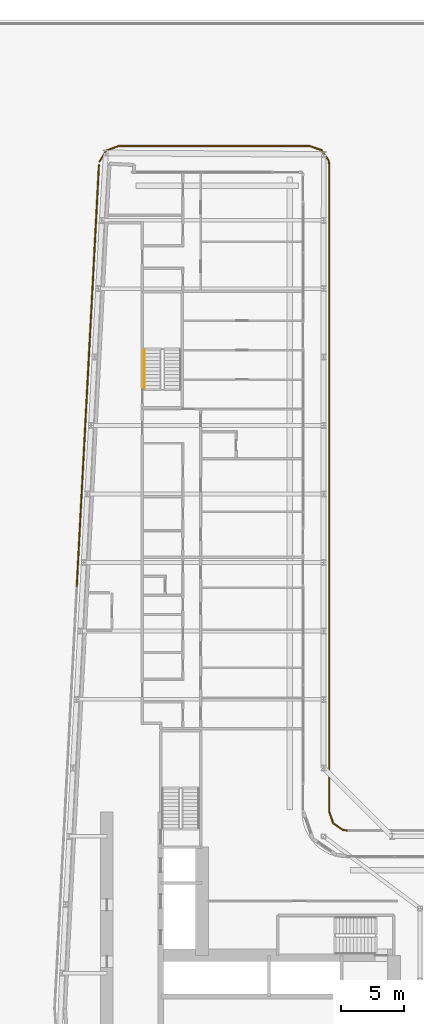
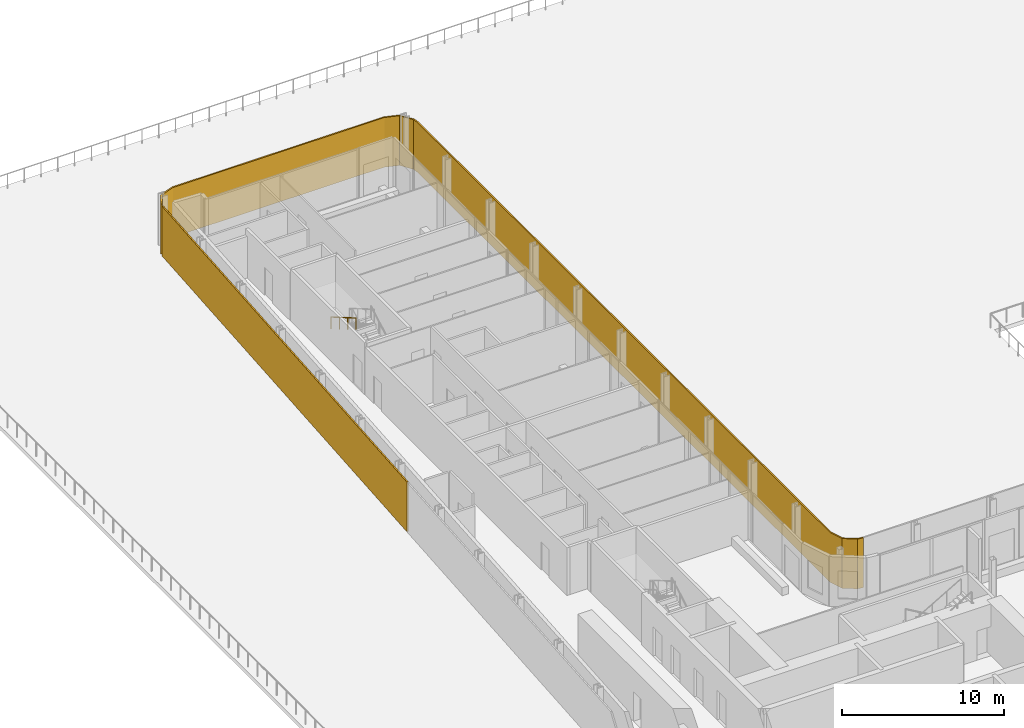
# One storey, part 24 of 27: 2 shading devices, 1 railing.
"""IFC4 building model written with IfcOpenShell, lengths in metres."""

from ifc_helpers import new_model, si_unit, direction, frame, origin, origin_2d, place, context, subcontext, project, spatial, polyline, rectangle, circle, outline, extrude, material, layer, layer_set, type_object, element, save


model = new_model("IFC4")

# Units and contexts
model_context = context("Model", 3, precision=1e-05, world=origin(), true_north=direction((0.0, 1.0)))
body_context = subcontext(model_context, "Body", "Model", "MODEL_VIEW")
ifc_project = project(units=[si_unit("LENGTHUNIT", "METRE"), si_unit("AREAUNIT", "SQUARE_METRE"), si_unit("VOLUMEUNIT", "CUBIC_METRE"), si_unit("PLANEANGLEUNIT", "RADIAN"), si_unit("MASSUNIT", "GRAM", prefix="KILO")], contexts=[model_context])

# Site, building, storey
site_placement = place(None, origin())
site = spatial("IfcSite", under=ifc_project, at=site_placement, CompositionType="ELEMENT")
building_placement = place(site_placement, origin())
building = spatial("IfcBuilding", under=site, at=building_placement, Name="Kheshtan School and Residences Tower", CompositionType="ELEMENT")
storey_placement = place(building_placement, frame((0.0, 0.0, 30.5)))
storey = spatial("IfcBuildingStorey", under=building, at=storey_placement, Name="L06", CompositionType="ELEMENT", Elevation=30.5)

# Shading devices
ifc_material_1 = material(Name="Terracotta baguette, extruded ceramic", Category="masonry")
ifc_layer_1 = layer(ifc_material_1, 0.10009765625)
ifc_layer_set_1 = layer_set([ifc_layer_1], Name="Ledge screen, terracotta baguettes")
shading_device_type_1 = type_object("IfcShadingDeviceType", Name="Ledge screen, terracotta baguettes", PredefinedType="USERDEFINED", material=ifc_layer_set_1)
shading_device_1_placement = place(storey_placement, frame((28.9990234375, 81.93408203125, 0.0), z_axis=(0.0, 0.0, 1.0), x_axis=(0.052562536748, 0.998617634398, 0.0)))
element("IfcShadingDevice", 1, at=shading_device_1_placement, inside=storey, type_object=shading_device_type_1, Name="Screen L06 5", ObjectType="BAGUETTE", PredefinedType="USERDEFINED", context=body_context, shape_type="SweptSolid", body=[
    extrude(rectangle(XDim=33.341064453125, YDim=0.10009765625, at=origin_2d()), origin(), (0.0, 0.0, 1.0), 3.75),
])
ifc_material_2 = material(Name="Terracotta lattice, extruded ceramic", Category="masonry")
ifc_layer_2 = layer(ifc_material_2, 0.10009765625)
ifc_layer_set_2 = layer_set([ifc_layer_2], Name="Loggia screen, terracotta lattice")
shading_device_type_2 = type_object("IfcShadingDeviceType", Name="Loggia screen, terracotta lattice", PredefinedType="USERDEFINED", material=ifc_layer_set_2)
shading_device_2_placement = place(storey_placement, origin())
element("IfcShadingDevice", 2, at=shading_device_2_placement, inside=storey, type_object=shading_device_type_2, Name="Screen L06 1", ObjectType="SCREEN", PredefinedType="USERDEFINED", context=body_context, shape_type="SweptSolid", body=[
    extrude(outline(polyline([(29.949951171875, 98.783935546875), (30.468017578125, 99.656982421875), (31.423095703125, 100.0), (46.5, 100.0), (47.4130859375, 99.68994140625), (47.948974609375, 98.887939453125), (48.0, 98.5), (48.0, 47.5), (48.31005859375, 46.5869140625), (49.112060546875, 46.051025390625), (49.5, 46.0), (49.512939453125, 46.09912109375), (49.14794921875, 46.14697265625), (48.39404296875, 46.65087890625), (48.10009765625, 47.51708984375), (48.10009765625, 98.507080078125), (48.044921875, 98.924072265625), (47.47705078125, 99.77392578125), (46.51708984375, 100.10009765625), (31.406005859375, 100.10009765625), (30.39990234375, 99.739013671875), (29.864013671875, 98.8349609375), (29.949951171875, 98.783935546875)])), origin(), (0.0, 0.0, 1.0), 3.75),
])

# Railing
ifc_material_3 = material(Name="Stainless steel handrail", Category="steel")
railing_type = type_object("IfcRailingType", Name="Stair handrail 900", PredefinedType="HANDRAIL", material=ifc_material_3)
railing_placement = place(storey_placement, frame((33.449951171875, 83.97998046875, 2.112548828125)))
element("IfcRailing", 3, at=railing_placement, inside=storey, type_object=railing_type, Name="L06 ST3 stair handrail 2", PredefinedType="HANDRAIL", context=body_context, shape_type="SweptSolid", body=[
    extrude(circle(Radius=0.02392578125, at=origin_2d()), frame((0.0, 0.0, 0.8759765625), z_axis=(0.0, -0.864920483161, 0.501908913857), x_axis=(1.0, 0.0, 0.0)), (0.0, 0.0, 1.0), 3.56103515625),
    extrude(circle(Radius=0.02099609375, at=origin_2d()), origin(), (0.0, 0.0, 1.0), 0.851806640625),
    extrude(circle(Radius=0.02099609375, at=origin_2d()), frame((0.0, -1.026611328125, 0.595703125)), (0.0, 0.0, 1.0), 0.851806640625),
    extrude(circle(Radius=0.02099609375, at=origin_2d()), frame((0.0, -2.053466796875, 1.191650390625)), (0.0, 0.0, 1.0), 0.851806640625),
    extrude(circle(Radius=0.02099609375, at=origin_2d()), frame((0.0, -3.080078125, 1.787353515625)), (0.0, 0.0, 1.0), 0.851806640625),
])

save(model, "model.ifc")
